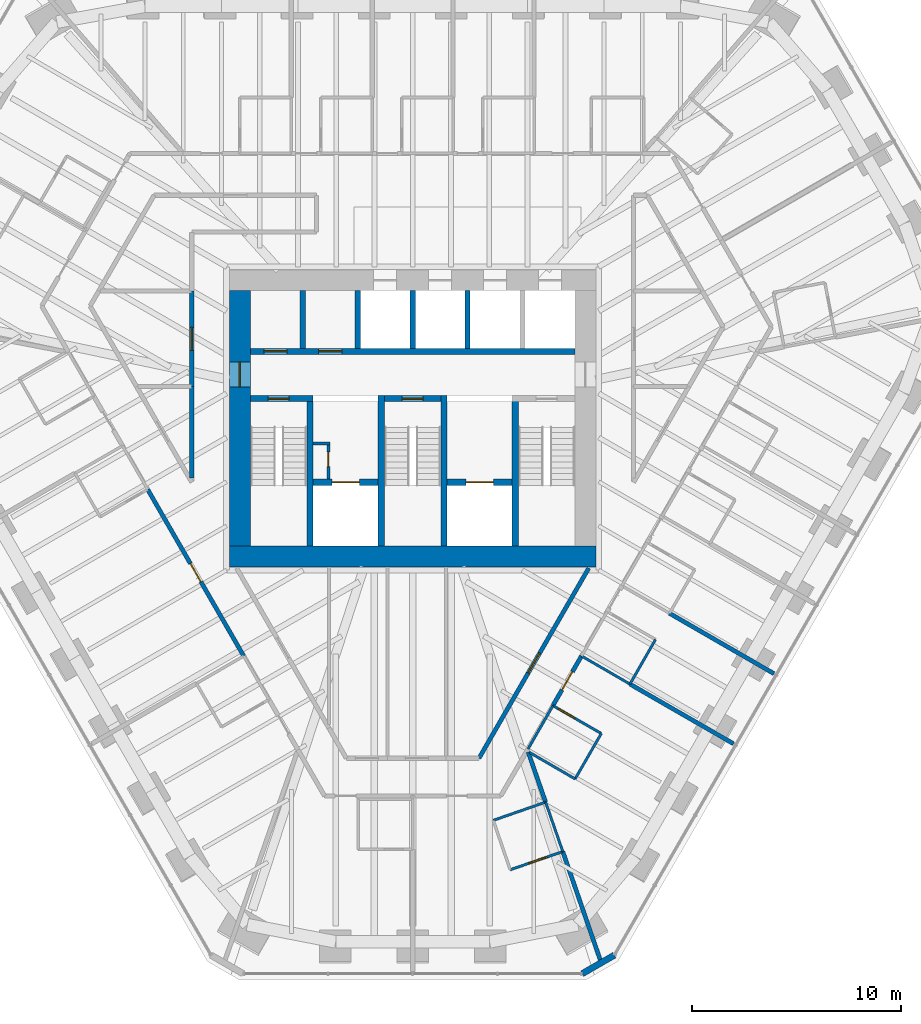
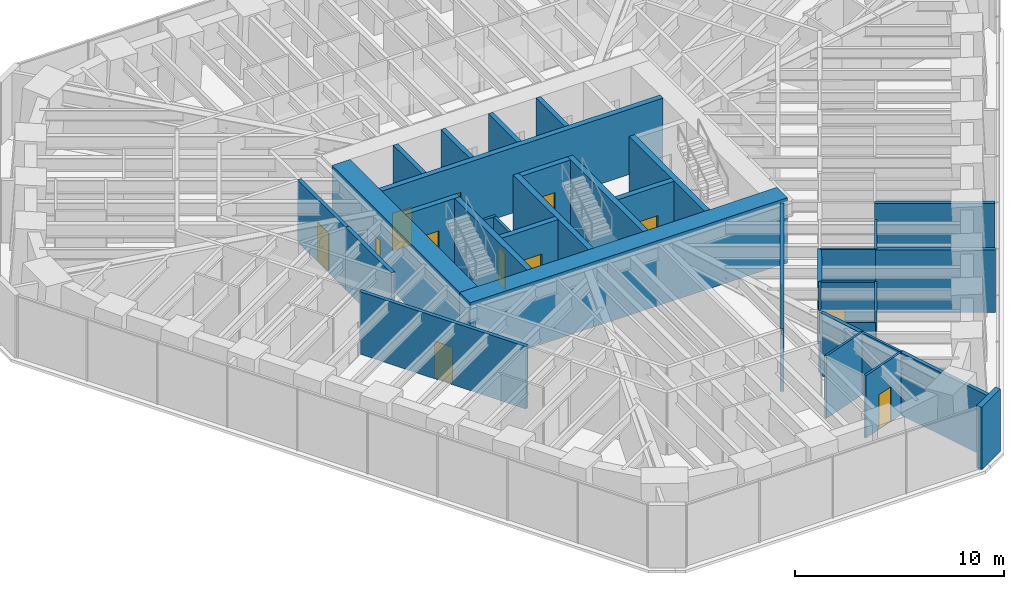
# One storey, part 12 of 17: 36 walls, 14 doors, 14 openings.
"""IFC4 building model written with IfcOpenShell, lengths in metres."""

from ifc_helpers import new_model, si_unit, direction, frame, frame_2d, origin, place, context, subcontext, project, spatial, rectangle, extrude, material, layer, layer_set, type_object, element, fill, save


model = new_model("IFC4")

# Units and contexts
model_context = context("Model", 3, precision=1e-05, world=origin(), true_north=direction((0.0, 1.0)))
body_context = subcontext(model_context, "Body", "Model", "MODEL_VIEW")
ifc_project = project(units=[si_unit("LENGTHUNIT", "METRE"), si_unit("AREAUNIT", "SQUARE_METRE"), si_unit("VOLUMEUNIT", "CUBIC_METRE"), si_unit("PLANEANGLEUNIT", "RADIAN"), si_unit("MASSUNIT", "GRAM", prefix="KILO")], contexts=[model_context])

# Site, building, storey
site_placement = place(None, origin())
site = spatial("IfcSite", under=ifc_project, at=site_placement, CompositionType="ELEMENT")
building_placement = place(site_placement, origin())
building = spatial("IfcBuilding", under=site, at=building_placement, Name="Sandreach Pilgrim Tower", CompositionType="ELEMENT")
storey_placement = place(building_placement, frame((0.0, 0.0, 232.60009765625)))
storey = spatial("IfcBuildingStorey", under=building, at=storey_placement, Name="L58", CompositionType="ELEMENT", Elevation=232.60009765625)

# Wall, opening, door
ifc_material_1 = material(Name="Moisture-resistant gypsum board on steel studs", Category="steel")
ifc_layer_1 = layer(ifc_material_1, 0.1201171875)
ifc_layer_set_1 = layer_set([ifc_layer_1], Name="Bathroom partition 120")
wall_type_1 = type_object("IfcWallType", Name="Bathroom partition 120", PredefinedType="PARTITIONING", material=ifc_layer_set_1)
wall_1_placement = place(storey_placement, frame((4.659912109375, -21.56005859375, 0.0), z_axis=(0.0, 0.0, 1.0), x_axis=(0.944838473769, 0.327536652126, 0.0)))
wall_1 = element("IfcWall", 1, at=wall_1_placement, inside=storey, type_object=wall_type_1, Name="Bathroom partition L58-087", PredefinedType="PARTITIONING", context=body_context, shape_type="SweptSolid", body=[
    extrude(rectangle(XDim=2.656494140625, YDim=0.1201171875, at=frame_2d((1.328125, 0.0))), origin(), (0.0, 0.0, 1.0), 3.639892578125),
])
opening_1_placement = place(wall_1_placement, frame((0.949951171875, 0.0, 0.0)))
opening_1 = element("IfcOpeningElement", 2, at=opening_1_placement, cuts=wall_1, Name="Opening D09-13B", PredefinedType="OPENING", context=body_context, shape_type="SweptSolid", body=[
    extrude(rectangle(XDim=0.89990234375, YDim=2.030029296875, at=frame_2d((0.449951171875, 1.01513671875))), frame((0.0, 0.06005859375, 0.0), z_axis=(0.0, -1.0, 0.0), x_axis=(1.0, 0.0, 0.0)), (0.0, 0.0, 1.0), 0.1201171875),
])
ifc_material_2 = material(Name="Timber door, steel frame", Category="steel")
door_type_1 = type_object("IfcDoorType", Name="Bathroom door", OperationType="SINGLE_SWING_LEFT", PredefinedType="DOOR", material=ifc_material_2)
door_1_placement = place(opening_1_placement, origin())
door_1 = element("IfcDoor", 3, at=door_1_placement, inside=storey, type_object=door_type_1, Name="Door 5813B", OperationType="SINGLE_SWING_RIGHT", OverallHeight=2.030029296875, OverallWidth=0.89990234375, PredefinedType="DOOR", context=body_context, shape_type="SweptSolid", body=[
    extrude(rectangle(XDim=0.89990234375, YDim=2.030029296875, at=frame_2d((0.449951171875, 1.01513671875))), frame((0.0, 0.02490234375, 0.0), z_axis=(0.0, -1.0, 0.0), x_axis=(1.0, 0.0, 0.0)), (0.0, 0.0, 1.0), 0.050048828125),
])
fill(opening_1, door_1)

# Walls
wall_2_placement = place(storey_placement, frame((5.510009765625, -15.7900390625, 0.0), z_axis=(0.0, 0.0, 1.0), x_axis=(0.49836161924, 0.866969259241, 0.0)))
element("IfcWall", 4, at=wall_2_placement, inside=storey, type_object=wall_type_1, Name="Bathroom partition L58-089", PredefinedType="PARTITIONING", context=body_context, shape_type="SweptSolid", body=[
    extrude(rectangle(XDim=2.3876953125, YDim=0.1201171875, at=frame_2d((1.19384765625, 0.0))), origin(), (0.0, 0.0, 1.0), 3.639892578125),
])
wall_3_placement = place(storey_placement, frame((5.593505859375, -15.962646484375, 0.0), z_axis=(0.0, 0.0, 1.0), x_axis=(0.864900876675, -0.501942699445, 0.0)))
element("IfcWall", 5, at=wall_3_placement, inside=storey, type_object=wall_type_1, Name="Bathroom partition L58-091", PredefinedType="PARTITIONING", context=body_context, shape_type="SweptSolid", body=[
    extrude(rectangle(XDim=2.5048828125, YDim=0.1201171875, at=frame_2d((1.25244140625, 0.0))), origin(), (0.0, 0.0, 1.0), 3.037841796875),
])
wall_4_placement = place(storey_placement, frame((6.35009765625, -18.330078125, 0.0), z_axis=(0.0, 0.0, 1.0), x_axis=(-0.944470666048, -0.328595740956, 0.0)))
element("IfcWall", 6, at=wall_4_placement, inside=storey, type_object=wall_type_1, Name="Bathroom partition L58-096", PredefinedType="PARTITIONING", context=body_context, shape_type="SweptSolid", body=[
    extrude(rectangle(XDim=2.647216796875, YDim=0.1201171875, at=frame_2d((1.32373046875, 0.0))), origin(), (0.0, 0.0, 1.0), 3.639892578125),
])
wall_5_placement = place(storey_placement, frame((6.35009765625, -18.330078125, 0.0), z_axis=(0.0, 0.0, 1.0), x_axis=(0.328164304993, -0.944620658745, 0.0)))
element("IfcWall", 7, at=wall_5_placement, inside=storey, type_object=wall_type_1, Name="Bathroom partition L58-097", PredefinedType="PARTITIONING", context=body_context, shape_type="SweptSolid", body=[
    extrude(rectangle(XDim=2.498291015625, YDim=0.1201171875, at=frame_2d((1.2490234375, 0.0))), origin(), (0.0, 0.0, 1.0), 3.639892578125),
])
wall_6_placement = place(storey_placement, frame((7.760009765625, -17.219970703125, 0.0), z_axis=(0.0, 0.0, 1.0), x_axis=(0.499159685399, 0.866510016372, 0.0)))
element("IfcWall", 8, at=wall_6_placement, inside=storey, type_object=wall_type_1, Name="Bathroom partition L58-099", PredefinedType="PARTITIONING", context=body_context, shape_type="SweptSolid", body=[
    extrude(rectangle(XDim=2.504150390625, YDim=0.1201171875, at=frame_2d((1.251953125, 0.0))), origin(), (0.0, 0.0, 1.0), 3.639892578125),
])
wall_7_placement = place(storey_placement, frame((8.070068359375, -11.35009765625, 0.0), z_axis=(0.0, 0.0, 1.0), x_axis=(0.865006586495, -0.501760505939, 0.0)))
element("IfcWall", 9, at=wall_7_placement, inside=storey, type_object=wall_type_1, Name="Bathroom partition L58-102", PredefinedType="PARTITIONING", context=body_context, shape_type="SweptSolid", body=[
    extrude(rectangle(XDim=2.670166015625, YDim=0.1201171875, at=frame_2d((1.3349609375, 0.0))), origin(), (0.0, 0.0, 1.0), 3.639892578125),
])

# Wall, opening, door
wall_8_placement = place(storey_placement, frame((9.010009765625, -15.050048828125, 0.0), z_axis=(0.0, 0.0, 1.0), x_axis=(-0.866615255992, 0.498976951453, 0.0)))
wall_8 = element("IfcWall", 10, at=wall_8_placement, inside=storey, type_object=wall_type_1, Name="Bathroom partition L58-106", PredefinedType="PARTITIONING", context=body_context, shape_type="SweptSolid", body=[
    extrude(rectangle(XDim=2.66552734375, YDim=0.1201171875, at=frame_2d((1.332763671875, 0.0))), origin(), (0.0, 0.0, 1.0), 3.639892578125),
])
opening_2_placement = place(wall_8_placement, frame((1.465576171875, 0.0, 0.0)))
opening_2 = element("IfcOpeningElement", 11, at=opening_2_placement, cuts=wall_8, Name="Opening D09-12B", PredefinedType="OPENING", context=body_context, shape_type="SweptSolid", body=[
    extrude(rectangle(XDim=0.89990234375, YDim=2.030029296875, at=frame_2d((0.449951171875, 1.01513671875))), frame((0.0, 0.06005859375, 0.0), z_axis=(0.0, -1.0, 0.0), x_axis=(1.0, 0.0, 0.0)), (0.0, 0.0, 1.0), 0.1201171875),
])
door_2_placement = place(opening_2_placement, origin())
door_2 = element("IfcDoor", 12, at=door_2_placement, inside=storey, type_object=door_type_1, Name="Door 5812B", OperationType="SINGLE_SWING_RIGHT", OverallHeight=2.030029296875, OverallWidth=0.89990234375, PredefinedType="DOOR", context=body_context, shape_type="SweptSolid", body=[
    extrude(rectangle(XDim=0.89990234375, YDim=2.030029296875, at=frame_2d((0.449951171875, 1.01513671875))), frame((0.0, 0.02490234375, 0.0), z_axis=(0.0, -1.0, 0.0), x_axis=(1.0, 0.0, 0.0)), (0.0, 0.0, 1.0), 0.050048828125),
])
fill(opening_2, door_2)

# Walls
wall_9_placement = place(storey_placement, frame((10.3798828125, -12.68994140625, 0.0), z_axis=(0.0, 0.0, 1.0), x_axis=(0.497102632485, 0.867691749861, 0.0)))
element("IfcWall", 13, at=wall_9_placement, inside=storey, type_object=wall_type_1, Name="Bathroom partition L58-110", PredefinedType="PARTITIONING", context=body_context, shape_type="SweptSolid", body=[
    extrude(rectangle(XDim=2.45458984375, YDim=0.1201171875, at=frame_2d((1.227294921875, 0.0))), origin(), (0.0, 0.0, 1.0), 3.639892578125),
])
ifc_material_3 = material(Name="Concrete 10000 psi", Category="concrete")
ifc_layer_2 = layer(ifc_material_3, 0.300048828125)
ifc_layer_set_2 = layer_set([ifc_layer_2], Name="Core inner wall 300")
wall_type_2 = type_object("IfcWallType", Name="Core inner wall 300", PredefinedType="SHEAR", material=ifc_layer_set_2)
for number, where, z_axis, x_axis, name in (
    (14, (-4.89990234375, -6.10009765625, 0.0), (0.0, 0.0, 1.0), (0.0, 1.0, 0.0), "Core wall I0 L58"),
    (15, (-1.5, -6.10009765625, 0.0), (0.0, 0.0, 1.0), (0.0, 1.0, 0.0), "Core wall I1 L58"),
    (16, (1.5, -6.10009765625, 0.0), (0.0, 0.0, 1.0), (0.0, 1.0, 0.0), "Core wall I2 L58"),
    (17, (4.89990234375, -6.10009765625, 0.0), (0.0, 0.0, 1.0), (0.0, 1.0, 0.0), "Core wall I3 L58"),
):
    element("IfcWall", number, at=place(storey_placement, frame(where, z_axis=z_axis, x_axis=x_axis)), inside=storey, type_object=wall_type_2, Name=name, PredefinedType="SHEAR", context=body_context, shape_type="SweptSolid", body=[
        extrude(rectangle(XDim=7.2001953125, YDim=0.300048828125, at=frame_2d((3.60009765625, 0.0))), origin(), (0.0, 0.0, 1.0), 3.7998046875),
    ])

# Wall, opening, door
wall_10_placement = place(storey_placement, frame((-7.75, 0.949951171875, 0.0), z_axis=(0.0, 0.0, 1.0), x_axis=(1.0, 0.0, 0.0)))
wall_10 = element("IfcWall", 18, at=wall_10_placement, inside=storey, type_object=wall_type_2, Name="Core wall SN1 L58", PredefinedType="SHEAR", context=body_context, shape_type="SweptSolid", body=[
    extrude(rectangle(XDim=3.0, YDim=0.300048828125, at=frame_2d((1.5, 0.0))), origin(), (0.0, 0.0, 1.0), 3.7998046875),
])
opening_3_placement = place(wall_10_placement, frame((0.85009765625, 0.0, 0.0)))
opening_3 = element("IfcOpeningElement", 19, at=opening_3_placement, cuts=wall_10, Name="Opening D10S-ST1", PredefinedType="OPENING", context=body_context, shape_type="SweptSolid", body=[
    extrude(rectangle(XDim=1.0, YDim=2.199951171875, at=frame_2d((0.5, 1.10009765625))), frame((0.0, 0.14990234375, 0.0), z_axis=(0.0, -1.0, 0.0), x_axis=(1.0, 0.0, 0.0)), (0.0, 0.0, 1.0), 0.300048828125),
])
ifc_material_4 = material(Name="Steel door and frame", Category="steel")
door_type_2 = type_object("IfcDoorType", Name="Stair door", OperationType="SINGLE_SWING_LEFT", PredefinedType="DOOR", material=ifc_material_4)
door_3_placement = place(opening_3_placement, origin())
door_3 = element("IfcDoor", 20, at=door_3_placement, inside=storey, type_object=door_type_2, Name="Stair door ST1 L58", OperationType="SINGLE_SWING_LEFT", OverallHeight=2.199951171875, OverallWidth=1.0, PredefinedType="DOOR", context=body_context, shape_type="SweptSolid", body=[
    extrude(rectangle(XDim=1.0, YDim=2.199951171875, at=frame_2d((0.5, 1.10009765625))), frame((0.0, 0.02490234375, 0.0), z_axis=(0.0, -1.0, 0.0), x_axis=(1.0, 0.0, 0.0)), (0.0, 0.0, 1.0), 0.050048828125),
])
fill(opening_3, door_3)

wall_11_placement = place(storey_placement, frame((-1.35009765625, 0.949951171875, 0.0), z_axis=(0.0, 0.0, 1.0), x_axis=(1.0, 0.0, 0.0)))
wall_11 = element("IfcWall", 21, at=wall_11_placement, inside=storey, type_object=wall_type_2, Name="Core wall SN3 L58", PredefinedType="SHEAR", context=body_context, shape_type="SweptSolid", body=[
    extrude(rectangle(XDim=2.7001953125, YDim=0.300048828125, at=frame_2d((1.35009765625, 0.0))), origin(), (0.0, 0.0, 1.0), 3.7998046875),
])
opening_4_placement = place(wall_11_placement, frame((0.85009765625, 0.0, 0.0)))
opening_4 = element("IfcOpeningElement", 22, at=opening_4_placement, cuts=wall_11, Name="Opening D10S-ST3", PredefinedType="OPENING", context=body_context, shape_type="SweptSolid", body=[
    extrude(rectangle(XDim=1.0, YDim=2.199951171875, at=frame_2d((0.5, 1.10009765625))), frame((0.0, 0.14990234375, 0.0), z_axis=(0.0, -1.0, 0.0), x_axis=(1.0, 0.0, 0.0)), (0.0, 0.0, 1.0), 0.300048828125),
])
door_4_placement = place(opening_4_placement, origin())
door_4 = element("IfcDoor", 23, at=door_4_placement, inside=storey, type_object=door_type_2, Name="Stair door ST3 L58", OperationType="SINGLE_SWING_LEFT", OverallHeight=2.199951171875, OverallWidth=1.0, PredefinedType="DOOR", context=body_context, shape_type="SweptSolid", body=[
    extrude(rectangle(XDim=1.0, YDim=2.199951171875, at=frame_2d((0.5, 1.10009765625))), frame((0.0, 0.02490234375, 0.0), z_axis=(0.0, -1.0, 0.0), x_axis=(1.0, 0.0, 0.0)), (0.0, 0.0, 1.0), 0.050048828125),
])
fill(opening_4, door_4)

wall_12_placement = place(storey_placement, frame((-4.75, -3.050048828125, 0.0), z_axis=(0.0, 0.0, 1.0), x_axis=(1.0, 0.0, 0.0)))
wall_12 = element("IfcWall", 24, at=wall_12_placement, inside=storey, type_object=wall_type_2, Name="Core wall FL1 L58", PredefinedType="SHEAR", context=body_context, shape_type="SweptSolid", body=[
    extrude(rectangle(XDim=3.10009765625, YDim=0.300048828125, at=frame_2d((1.550048828125, 0.0))), origin(), (0.0, 0.0, 1.0), 3.7998046875),
])
opening_5_placement = place(wall_12_placement, frame((0.89990234375, 0.0, 0.0)))
opening_5 = element("IfcOpeningElement", 25, at=opening_5_placement, cuts=wall_12, Name="Opening LD13", PredefinedType="OPENING", context=body_context, shape_type="SweptSolid", body=[
    extrude(rectangle(XDim=1.300048828125, YDim=2.10009765625, at=frame_2d((0.64990234375, 1.050048828125))), frame((0.0, 0.14990234375, 0.0), z_axis=(0.0, -1.0, 0.0), x_axis=(1.0, 0.0, 0.0)), (0.0, 0.0, 1.0), 0.300048828125),
])
ifc_material_5 = material(Name="Steel door and frame", Category="steel")
door_type_3 = type_object("IfcDoorType", Name="Fire service lift landing door", OperationType="DOUBLE_DOOR_SLIDING", PredefinedType="DOOR", material=ifc_material_5)
door_5_placement = place(opening_5_placement, origin())
door_5 = element("IfcDoor", 26, at=door_5_placement, inside=storey, type_object=door_type_3, Name="Lift landing door FS1 L58", OperationType="DOUBLE_DOOR_SLIDING", OverallHeight=2.10009765625, OverallWidth=1.300048828125, PredefinedType="DOOR", context=body_context, shape_type="SweptSolid", body=[
    extrude(rectangle(XDim=1.300048828125, YDim=2.10009765625, at=frame_2d((0.64990234375, 1.050048828125))), frame((0.0, 0.02490234375, 0.0), z_axis=(0.0, -1.0, 0.0), x_axis=(1.0, 0.0, 0.0)), (0.0, 0.0, 1.0), 0.050048828125),
])
fill(opening_5, door_5)

wall_13_placement = place(storey_placement, frame((1.64990234375, -3.050048828125, 0.0), z_axis=(0.0, 0.0, 1.0), x_axis=(1.0, 0.0, 0.0)))
wall_13 = element("IfcWall", 27, at=wall_13_placement, inside=storey, type_object=wall_type_2, Name="Core wall FL2 L58", PredefinedType="SHEAR", context=body_context, shape_type="SweptSolid", body=[
    extrude(rectangle(XDim=3.10009765625, YDim=0.300048828125, at=frame_2d((1.550048828125, 0.0))), origin(), (0.0, 0.0, 1.0), 3.7998046875),
])
opening_6_placement = place(wall_13_placement, frame((0.89990234375, 0.0, 0.0)))
opening_6 = element("IfcOpeningElement", 28, at=opening_6_placement, cuts=wall_13, Name="Opening LD13", PredefinedType="OPENING", context=body_context, shape_type="SweptSolid", body=[
    extrude(rectangle(XDim=1.300048828125, YDim=2.10009765625, at=frame_2d((0.64990234375, 1.050048828125))), frame((0.0, 0.14990234375, 0.0), z_axis=(0.0, -1.0, 0.0), x_axis=(1.0, 0.0, 0.0)), (0.0, 0.0, 1.0), 0.300048828125),
])
door_6_placement = place(opening_6_placement, origin())
door_6 = element("IfcDoor", 29, at=door_6_placement, inside=storey, type_object=door_type_3, Name="Lift landing door FS2 L58", OperationType="DOUBLE_DOOR_SLIDING", OverallHeight=2.10009765625, OverallWidth=1.300048828125, PredefinedType="DOOR", context=body_context, shape_type="SweptSolid", body=[
    extrude(rectangle(XDim=1.300048828125, YDim=2.10009765625, at=frame_2d((0.64990234375, 1.050048828125))), frame((0.0, 0.02490234375, 0.0), z_axis=(0.0, -1.0, 0.0), x_axis=(1.0, 0.0, 0.0)), (0.0, 0.0, 1.0), 0.050048828125),
])
fill(opening_6, door_6)

# Wall, openings, doors
wall_14_placement = place(storey_placement, frame((-7.75, 3.199951171875, 0.0), z_axis=(0.0, 0.0, 1.0), x_axis=(1.0, 0.0, 0.0)))
wall_14 = element("IfcWall", 30, at=wall_14_placement, inside=storey, type_object=wall_type_2, Name="Core wall PN L58", PredefinedType="SHEAR", context=body_context, shape_type="SweptSolid", body=[
    extrude(rectangle(XDim=15.5, YDim=0.300048828125, at=frame_2d((7.75, 0.0))), origin(), (0.0, 0.0, 1.0), 3.7998046875),
])
opening_7_placement = place(wall_14_placement, frame((0.637451171875, 0.0, 0.0)))
opening_7 = element("IfcOpeningElement", 31, at=opening_7_placement, cuts=wall_14, Name="Opening D11L", PredefinedType="OPENING", context=body_context, shape_type="SweptSolid", body=[
    extrude(rectangle(XDim=1.10009765625, YDim=2.199951171875, at=frame_2d((0.550048828125, 1.10009765625))), frame((0.0, 0.14990234375, 0.0), z_axis=(0.0, -1.0, 0.0), x_axis=(1.0, 0.0, 0.0)), (0.0, 0.0, 1.0), 0.300048828125),
])
opening_8_placement = place(wall_14_placement, frame((3.262451171875, 0.0, 0.0)))
opening_8 = element("IfcOpeningElement", 32, at=opening_8_placement, cuts=wall_14, Name="Opening D11L", PredefinedType="OPENING", context=body_context, shape_type="SweptSolid", body=[
    extrude(rectangle(XDim=1.10009765625, YDim=2.199951171875, at=frame_2d((0.550048828125, 1.10009765625))), frame((0.0, 0.14990234375, 0.0), z_axis=(0.0, -1.0, 0.0), x_axis=(1.0, 0.0, 0.0)), (0.0, 0.0, 1.0), 0.300048828125),
])
ifc_material_6 = material(Name="Steel door and frame, smoke seals", Category="steel")
door_type_4 = type_object("IfcDoorType", Name="Core room door", OperationType="SINGLE_SWING_LEFT", PredefinedType="DOOR", material=ifc_material_6)
door_7_placement = place(opening_7_placement, origin())
door_7 = element("IfcDoor", 33, at=door_7_placement, inside=storey, type_object=door_type_4, Name="Door guest pantry 58K1", OperationType="SINGLE_SWING_LEFT", OverallHeight=2.199951171875, OverallWidth=1.10009765625, PredefinedType="DOOR", context=body_context, shape_type="SweptSolid", body=[
    extrude(rectangle(XDim=1.10009765625, YDim=2.199951171875, at=frame_2d((0.550048828125, 1.10009765625))), frame((0.0, 0.02490234375, 0.0), z_axis=(0.0, -1.0, 0.0), x_axis=(1.0, 0.0, 0.0)), (0.0, 0.0, 1.0), 0.050048828125),
])
fill(opening_7, door_7)
door_8_placement = place(opening_8_placement, origin())
door_8 = element("IfcDoor", 34, at=door_8_placement, inside=storey, type_object=door_type_4, Name="Door it room 58K2", OperationType="SINGLE_SWING_LEFT", OverallHeight=2.199951171875, OverallWidth=1.10009765625, PredefinedType="DOOR", context=body_context, shape_type="SweptSolid", body=[
    extrude(rectangle(XDim=1.10009765625, YDim=2.199951171875, at=frame_2d((0.550048828125, 1.10009765625))), frame((0.0, 0.02490234375, 0.0), z_axis=(0.0, -1.0, 0.0), x_axis=(1.0, 0.0, 0.0)), (0.0, 0.0, 1.0), 0.050048828125),
])
fill(opening_8, door_8)

# Wall
ifc_material_7 = material(Name="Concrete 10000 psi", Category="concrete")
ifc_layer_3 = layer(ifc_material_7, 1.0)
ifc_layer_set_3 = layer_set([ifc_layer_3], Name="Core wall 1000")
wall_type_3 = type_object("IfcWallType", Name="Core wall 1000", PredefinedType="SHEAR", material=ifc_layer_set_3)
wall_15_placement = place(storey_placement, frame((-8.75, -6.60009765625, 0.0), z_axis=(0.0, 0.0, 1.0), x_axis=(1.0, 0.0, 0.0)))
element("IfcWall", 35, at=wall_15_placement, inside=storey, type_object=wall_type_3, Name="Core wall S L58", PredefinedType="SHEAR", context=body_context, shape_type="SweptSolid", body=[
    extrude(rectangle(XDim=17.5, YDim=1.0, at=frame_2d((8.75, 0.0))), origin(), (0.0, 0.0, 1.0), 3.7998046875),
])

# Wall, opening, door
wall_16_placement = place(storey_placement, frame((-8.25, -6.10009765625, 0.0), z_axis=(0.0, 0.0, 1.0), x_axis=(0.0, 1.0, 0.0)))
wall_16 = element("IfcWall", 36, at=wall_16_placement, inside=storey, type_object=wall_type_3, Name="Core wall W L58", PredefinedType="SHEAR", context=body_context, shape_type="SweptSolid", body=[
    extrude(rectangle(XDim=12.2001953125, YDim=1.0, at=frame_2d((6.10009765625, 0.0))), origin(), (0.0, 0.0, 1.0), 3.7998046875),
])
opening_9_placement = place(wall_16_placement, frame((7.60009765625, 0.0, 0.0)))
opening_9 = element("IfcOpeningElement", 37, at=opening_9_placement, cuts=wall_16, Name="Opening D12F-W", PredefinedType="OPENING", context=body_context, shape_type="SweptSolid", body=[
    extrude(rectangle(XDim=1.199951171875, YDim=2.199951171875, at=frame_2d((0.60009765625, 1.10009765625))), frame((0.0, 0.5, 0.0), z_axis=(0.0, -1.0, 0.0), x_axis=(1.0, 0.0, 0.0)), (0.0, 0.0, 1.0), 1.0),
])
ifc_material_8 = material(Name="Steel door and frame", Category="steel")
door_type_5 = type_object("IfcDoorType", Name="Fire lobby door", OperationType="SINGLE_SWING_LEFT", PredefinedType="DOOR", material=ifc_material_8)
door_9_placement = place(opening_9_placement, origin())
door_9 = element("IfcDoor", 38, at=door_9_placement, inside=storey, type_object=door_type_5, Name="Fire service lobby door W L58", OperationType="SINGLE_SWING_RIGHT", OverallHeight=2.199951171875, OverallWidth=1.199951171875, PredefinedType="DOOR", context=body_context, shape_type="SweptSolid", body=[
    extrude(rectangle(XDim=1.199951171875, YDim=2.199951171875, at=frame_2d((0.60009765625, 1.10009765625))), frame((0.0, 0.02490234375, 0.0), z_axis=(0.0, -1.0, 0.0), x_axis=(1.0, 0.0, 0.0)), (0.0, 0.0, 1.0), 0.050048828125),
])
fill(opening_9, door_9)

ifc_material_9 = material(Name="Gypsum board on steel studs, two layers each side", Category="steel")
ifc_layer_4 = layer(ifc_material_9, 0.199951171875)
ifc_layer_set_4 = layer_set([ifc_layer_4], Name="Corridor wall 200")
wall_type_4 = type_object("IfcWallType", Name="Corridor wall 200", PredefinedType="PARTITIONING", material=ifc_layer_set_4)
wall_17_placement = place(storey_placement, frame((-12.659912109375, -3.389892578125, 0.0), z_axis=(0.0, 0.0, 1.0), x_axis=(0.499511590934, -0.866307203319, 0.0)))
wall_17 = element("IfcWall", 39, at=wall_17_placement, inside=storey, type_object=wall_type_4, Name="Corridor wall L58-032", PredefinedType="PARTITIONING", context=body_context, shape_type="SweptSolid", body=[
    extrude(rectangle(XDim=9.188720703125, YDim=0.199951171875, at=frame_2d((4.59423828125, 0.0))), origin(), (0.0, 0.0, 1.0), 3.639892578125),
])
opening_10_placement = place(wall_17_placement, frame((4.09423828125, 0.0, 0.0)))
opening_10 = element("IfcOpeningElement", 40, at=opening_10_placement, cuts=wall_17, Name="Opening D10-16", PredefinedType="OPENING", context=body_context, shape_type="SweptSolid", body=[
    extrude(rectangle(XDim=1.0, YDim=2.1298828125, at=frame_2d((0.5, 1.06494140625))), frame((0.0, 0.10009765625, 0.0), z_axis=(0.0, -1.0, 0.0), x_axis=(1.0, 0.0, 0.0)), (0.0, 0.0, 1.0), 0.199951171875),
])
ifc_material_10 = material(Name="Steel door and frame", Category="steel")
door_type_6 = type_object("IfcDoorType", Name="Guest room entry door", OperationType="SINGLE_SWING_LEFT", PredefinedType="DOOR", material=ifc_material_10)
door_10_placement = place(opening_10_placement, origin())
door_10 = element("IfcDoor", 41, at=door_10_placement, inside=storey, type_object=door_type_6, Name="Door 5816", OperationType="SINGLE_SWING_LEFT", OverallHeight=2.1298828125, OverallWidth=1.0, PredefinedType="DOOR", context=body_context, shape_type="SweptSolid", body=[
    extrude(rectangle(XDim=1.0, YDim=2.1298828125, at=frame_2d((0.5, 1.06494140625))), frame((0.0, 0.02490234375, 0.0), z_axis=(0.0, -1.0, 0.0), x_axis=(1.0, 0.0, 0.0)), (0.0, 0.0, 1.0), 0.050048828125),
])
fill(opening_10, door_10)

# Wall
wall_18_placement = place(storey_placement, frame((-10.550048828125, 1.52001953125, 0.0), z_axis=(0.0, 0.0, 1.0), x_axis=(0.0, -1.0, 0.0)))
element("IfcWall", 42, at=wall_18_placement, inside=storey, type_object=wall_type_4, Name="Corridor wall L58-038", PredefinedType="PARTITIONING", context=body_context, shape_type="SweptSolid", body=[
    extrude(rectangle(XDim=4.375, YDim=0.199951171875, at=frame_2d((2.1875, 0.0))), origin(), (0.0, 0.0, 1.0), 3.639892578125),
])

# Wall, opening, door
wall_19_placement = place(storey_placement, frame((-10.550048828125, 6.090087890625, 0.0), z_axis=(0.0, 0.0, 1.0), x_axis=(0.0, -1.0, 0.0)))
wall_19 = element("IfcWall", 43, at=wall_19_placement, inside=storey, type_object=wall_type_4, Name="Corridor wall L58-039", PredefinedType="PARTITIONING", context=body_context, shape_type="SweptSolid", body=[
    extrude(rectangle(XDim=4.570068359375, YDim=0.199951171875, at=frame_2d((2.28515625, 0.0))), origin(), (0.0, 0.0, 1.0), 3.639892578125),
])
opening_11_placement = place(wall_19_placement, frame((1.735107421875, 0.0, 0.0)))
opening_11 = element("IfcOpeningElement", 44, at=opening_11_placement, cuts=wall_19, Name="Opening D11H-M01", PredefinedType="OPENING", context=body_context, shape_type="SweptSolid", body=[
    extrude(rectangle(XDim=1.10009765625, YDim=2.199951171875, at=frame_2d((0.550048828125, 1.10009765625))), frame((0.0, 0.10009765625, 0.0), z_axis=(0.0, -1.0, 0.0), x_axis=(1.0, 0.0, 0.0)), (0.0, 0.0, 1.0), 0.199951171875),
])
ifc_material_11 = material(Name="Steel door and frame", Category="steel")
door_type_7 = type_object("IfcDoorType", Name="Back of house door", OperationType="SINGLE_SWING_LEFT", PredefinedType="DOOR", material=ifc_material_11)
door_11_placement = place(opening_11_placement, origin())
door_11 = element("IfcDoor", 45, at=door_11_placement, inside=storey, type_object=door_type_7, Name="Door 58M01", OperationType="SINGLE_SWING_LEFT", OverallHeight=2.199951171875, OverallWidth=1.10009765625, PredefinedType="DOOR", context=body_context, shape_type="SweptSolid", body=[
    extrude(rectangle(XDim=1.10009765625, YDim=2.199951171875, at=frame_2d((0.550048828125, 1.10009765625))), frame((0.0, 0.02490234375, 0.0), z_axis=(0.0, -1.0, 0.0), x_axis=(1.0, 0.0, 0.0)), (0.0, 0.0, 1.0), 0.050048828125),
])
fill(opening_11, door_11)

wall_20_placement = place(storey_placement, frame((8.065185546875, -11.34716796875, 0.0), z_axis=(0.0, 0.0, 1.0), x_axis=(-0.499611785355, -0.866249423627, 0.0)))
wall_20 = element("IfcWall", 46, at=wall_20_placement, inside=storey, type_object=wall_type_4, Name="Corridor wall L58-100", PredefinedType="PARTITIONING", context=body_context, shape_type="SweptSolid", body=[
    extrude(rectangle(XDim=2.737548828125, YDim=0.199951171875, at=frame_2d((1.36865234375, 0.0))), origin(), (0.0, 0.0, 1.0), 3.639892578125),
])
opening_12_placement = place(wall_20_placement, frame((0.868896484375, 0.0, 0.0)))
opening_12 = element("IfcOpeningElement", 47, at=opening_12_placement, cuts=wall_20, Name="Opening D10-12", PredefinedType="OPENING", context=body_context, shape_type="SweptSolid", body=[
    extrude(rectangle(XDim=1.0, YDim=2.1298828125, at=frame_2d((0.5, 1.06494140625))), frame((0.0, 0.10009765625, 0.0), z_axis=(0.0, -1.0, 0.0), x_axis=(1.0, 0.0, 0.0)), (0.0, 0.0, 1.0), 0.199951171875),
])
door_12_placement = place(opening_12_placement, origin())
door_12 = element("IfcDoor", 48, at=door_12_placement, inside=storey, type_object=door_type_6, Name="Door 5812", OperationType="SINGLE_SWING_LEFT", OverallHeight=2.1298828125, OverallWidth=1.0, PredefinedType="DOOR", context=body_context, shape_type="SweptSolid", body=[
    extrude(rectangle(XDim=1.0, YDim=2.1298828125, at=frame_2d((0.5, 1.06494140625))), frame((0.0, 0.02490234375, 0.0), z_axis=(0.0, -1.0, 0.0), x_axis=(1.0, 0.0, 0.0)), (0.0, 0.0, 1.0), 0.050048828125),
])
fill(opening_12, door_12)

wall_21_placement = place(storey_placement, frame((8.409912109375, -7.14990234375, 0.0), z_axis=(0.0, 0.0, 1.0), x_axis=(-0.499828628176, -0.866124322748, 0.0)))
wall_21 = element("IfcWall", 49, at=wall_21_placement, inside=storey, type_object=wall_type_4, Name="Corridor wall L58-103", PredefinedType="PARTITIONING", context=body_context, shape_type="SweptSolid", body=[
    extrude(rectangle(XDim=10.483642578125, YDim=0.199951171875, at=frame_2d((5.24169921875, 0.0))), origin(), (0.0, 0.0, 1.0), 3.639892578125),
])
opening_13_placement = place(wall_21_placement, frame((4.691650390625, 0.0, 0.0)))
opening_13 = element("IfcOpeningElement", 50, at=opening_13_placement, cuts=wall_21, Name="Opening D11H-S4", PredefinedType="OPENING", context=body_context, shape_type="SweptSolid", body=[
    extrude(rectangle(XDim=1.10009765625, YDim=2.199951171875, at=frame_2d((0.550048828125, 1.10009765625))), frame((0.0, 0.10009765625, 0.0), z_axis=(0.0, -1.0, 0.0), x_axis=(1.0, 0.0, 0.0)), (0.0, 0.0, 1.0), 0.199951171875),
])
door_13_placement = place(opening_13_placement, origin())
door_13 = element("IfcDoor", 51, at=door_13_placement, inside=storey, type_object=door_type_7, Name="Door 58S4", OperationType="SINGLE_SWING_LEFT", OverallHeight=2.199951171875, OverallWidth=1.10009765625, PredefinedType="DOOR", context=body_context, shape_type="SweptSolid", body=[
    extrude(rectangle(XDim=1.10009765625, YDim=2.199951171875, at=frame_2d((0.550048828125, 1.10009765625))), frame((0.0, 0.02490234375, 0.0), z_axis=(0.0, -1.0, 0.0), x_axis=(1.0, 0.0, 0.0)), (0.0, 0.0, 1.0), 0.050048828125),
])
fill(opening_13, door_13)

# Walls
ifc_material_12 = material(Name="Double steel stud acoustic wall, gypsum board", Category="steel")
ifc_layer_5 = layer(ifc_material_12, 0.199951171875)
ifc_layer_set_5 = layer_set([ifc_layer_5], Name="Party wall 200")
wall_type_5 = type_object("IfcWallType", Name="Party wall 200", PredefinedType="PARTITIONING", material=ifc_layer_set_5)
wall_22_placement = place(storey_placement, frame((5.51708984375, -15.936767578125, 0.0), z_axis=(0.0, 0.0, 1.0), x_axis=(0.328714924291, -0.944429191919, 0.0)))
element("IfcWall", 52, at=wall_22_placement, inside=storey, type_object=wall_type_5, Name="Party wall L58-090", PredefinedType="PARTITIONING", context=body_context, shape_type="SweptSolid", body=[
    extrude(rectangle(XDim=2.5341796875, YDim=0.199951171875, at=frame_2d((1.26708984375, 0.0))), origin(), (0.0, 0.0, 1.0), 3.639892578125),
])
wall_23_placement = place(storey_placement, frame((7.169921875, -20.68994140625, 0.0), z_axis=(0.0, 0.0, 1.0), x_axis=(0.326821657676, -0.945086029985, 0.0)))
element("IfcWall", 53, at=wall_23_placement, inside=storey, type_object=wall_type_5, Name="Party wall L58-098", PredefinedType="PARTITIONING", context=body_context, shape_type="SweptSolid", body=[
    extrude(rectangle(XDim=5.631103515625, YDim=0.199951171875, at=frame_2d((2.8154296875, 0.0))), origin(), (0.0, 0.0, 1.0), 3.639892578125),
])
wall_24_placement = place(storey_placement, frame((10.3798828125, -12.68994140625, 0.0), z_axis=(0.0, 0.0, 1.0), x_axis=(0.866442508333, -0.499276856818, 0.0)))
element("IfcWall", 54, at=wall_24_placement, inside=storey, type_object=wall_type_5, Name="Party wall L58-111", PredefinedType="PARTITIONING", context=body_context, shape_type="SweptSolid", body=[
    extrude(rectangle(XDim=5.70849609375, YDim=0.199951171875, at=frame_2d((2.854248046875, 0.0))), origin(), (0.0, 0.0, 1.0), 3.639892578125),
])
wall_25_placement = place(storey_placement, frame((12.269775390625, -9.310546875, 0.0), z_axis=(0.0, 0.0, 1.0), x_axis=(0.865985044037, -0.500069898618, 0.0)))
element("IfcWall", 55, at=wall_25_placement, inside=storey, type_object=wall_type_5, Name="Party wall L58-130", PredefinedType="PARTITIONING", context=body_context, shape_type="SweptSolid", body=[
    extrude(rectangle(XDim=5.758056640625, YDim=0.199951171875, at=frame_2d((2.87890625, 0.0))), origin(), (0.0, 0.0, 1.0), 3.639892578125),
])

# Wall, opening, door
ifc_material_13 = material(Name="Gypsum shaft wall on steel studs, shaft liner board", Category="steel")
ifc_layer_6 = layer(ifc_material_13, 0.14990234375)
ifc_layer_set_6 = layer_set([ifc_layer_6], Name="Riser shaft wall 150")
wall_type_6 = type_object("IfcWallType", Name="Riser shaft wall 150", PredefinedType="PARTITIONING", material=ifc_layer_set_6)
wall_26_placement = place(storey_placement, frame((-4.02490234375, -2.89990234375, 0.0), z_axis=(0.0, 0.0, 1.0), x_axis=(0.0, 1.0, 0.0)))
wall_26 = element("IfcWall", 56, at=wall_26_placement, inside=storey, type_object=wall_type_6, Name="Riser partition L58 side", PredefinedType="PARTITIONING", context=body_context, shape_type="SweptSolid", body=[
    extrude(rectangle(XDim=1.77490234375, YDim=0.14990234375, at=frame_2d((0.887451171875, 0.0))), origin(), (0.0, 0.0, 1.0), 3.639892578125),
])
opening_14_placement = place(wall_26_placement, frame((0.60009765625, 0.0, 0.0)))
opening_14 = element("IfcOpeningElement", 57, at=opening_14_placement, cuts=wall_26, Name="Opening D07R", PredefinedType="OPENING", context=body_context, shape_type="SweptSolid", body=[
    extrude(rectangle(XDim=0.699951171875, YDim=2.10009765625, at=frame_2d((0.35009765625, 1.050048828125))), frame((0.0, 0.074951171875, 0.0), z_axis=(0.0, -1.0, 0.0), x_axis=(1.0, 0.0, 0.0)), (0.0, 0.0, 1.0), 0.14990234375),
])
ifc_material_14 = material(Name="Steel door and frame, smoke seals", Category="steel")
door_type_8 = type_object("IfcDoorType", Name="Riser access door", OperationType="SINGLE_SWING_RIGHT", PredefinedType="DOOR", material=ifc_material_14)
door_14_placement = place(opening_14_placement, origin())
door_14 = element("IfcDoor", 58, at=door_14_placement, inside=storey, type_object=door_type_8, Name="Door riser 58ER", OperationType="SINGLE_SWING_RIGHT", OverallHeight=2.10009765625, OverallWidth=0.699951171875, PredefinedType="DOOR", context=body_context, shape_type="SweptSolid", body=[
    extrude(rectangle(XDim=0.699951171875, YDim=2.10009765625, at=frame_2d((0.35009765625, 1.050048828125))), frame((0.0, 0.02490234375, 0.0), z_axis=(0.0, -1.0, 0.0), x_axis=(1.0, 0.0, 0.0)), (0.0, 0.0, 1.0), 0.050048828125),
])
fill(opening_14, door_14)

# Walls
wall_27_placement = place(storey_placement, frame((-4.75, -1.199951171875, 0.0), z_axis=(0.0, 0.0, 1.0), x_axis=(1.0, 0.0, 0.0)))
element("IfcWall", 59, at=wall_27_placement, inside=storey, type_object=wall_type_6, Name="Riser partition L58 front", PredefinedType="PARTITIONING", context=body_context, shape_type="SweptSolid", body=[
    extrude(rectangle(XDim=0.800048828125, YDim=0.14990234375, at=frame_2d((0.39990234375, 0.0))), origin(), (0.0, 0.0, 1.0), 3.639892578125),
])
ifc_material_15 = material(Name="Gypsum shaft wall on steel studs, two layers of shaft liner board", Category="steel")
ifc_layer_7 = layer(ifc_material_15, 0.25)
ifc_layer_set_7 = layer_set([ifc_layer_7], Name="Shaft partition 250")
wall_type_7 = type_object("IfcWallType", Name="Shaft partition 250", PredefinedType="PARTITIONING", material=ifc_layer_set_7)
for number, where, z_axis, x_axis, name in (
    (60, (-5.25, 3.35009765625, 0.0), (0.0, 0.0, 1.0), (0.0, 1.0, 0.0), "Shaft partition NS0 L58"),
    (61, (-2.625, 3.35009765625, 0.0), (0.0, 0.0, 1.0), (0.0, 1.0, 0.0), "Shaft partition NS1 L58"),
    (62, (0.0, 3.35009765625, 0.0), (0.0, 0.0, 1.0), (0.0, 1.0, 0.0), "Shaft partition NS2 L58"),
    (63, (2.625, 3.35009765625, 0.0), (0.0, 0.0, 1.0), (0.0, 1.0, 0.0), "Shaft partition NS3 L58"),
):
    element("IfcWall", number, at=place(storey_placement, frame(where, z_axis=z_axis, x_axis=x_axis)), inside=storey, type_object=wall_type_7, Name=name, PredefinedType="PARTITIONING", context=body_context, shape_type="SweptSolid", body=[
        extrude(rectangle(XDim=2.75, YDim=0.25, at=frame_2d((1.375, 0.0))), origin(), (0.0, 0.0, 1.0), 3.7998046875),
    ])
ifc_material_16 = material(Name="Terracotta rainscreen on concrete", Category="masonry")
ifc_layer_8 = layer(ifc_material_16, 0.300048828125)
ifc_layer_set_8 = layer_set([ifc_layer_8], Name="Terracotta chamfer pier")
wall_type_8 = type_object("IfcWallType", Name="Terracotta chamfer pier", PredefinedType="SOLIDWALL", material=ifc_layer_set_8)
wall_28_placement = place(storey_placement, frame((9.63037109375, -25.64013671875, 0.0), z_axis=(0.0, 0.0, 1.0), x_axis=(-0.866036293601, -0.499981137809, 0.0)))
element("IfcWall", 64, at=wall_28_placement, inside=storey, type_object=wall_type_8, Name="Chamfer pier L58 SE", PredefinedType="SOLIDWALL", context=body_context, shape_type="SweptSolid", body=[
    extrude(rectangle(XDim=1.77001953125, YDim=0.300048828125, at=frame_2d((0.885009765625, 0.0))), origin(), (0.0, 0.0, 1.0), 3.639892578125),
])

save(model, "model.ifc")
